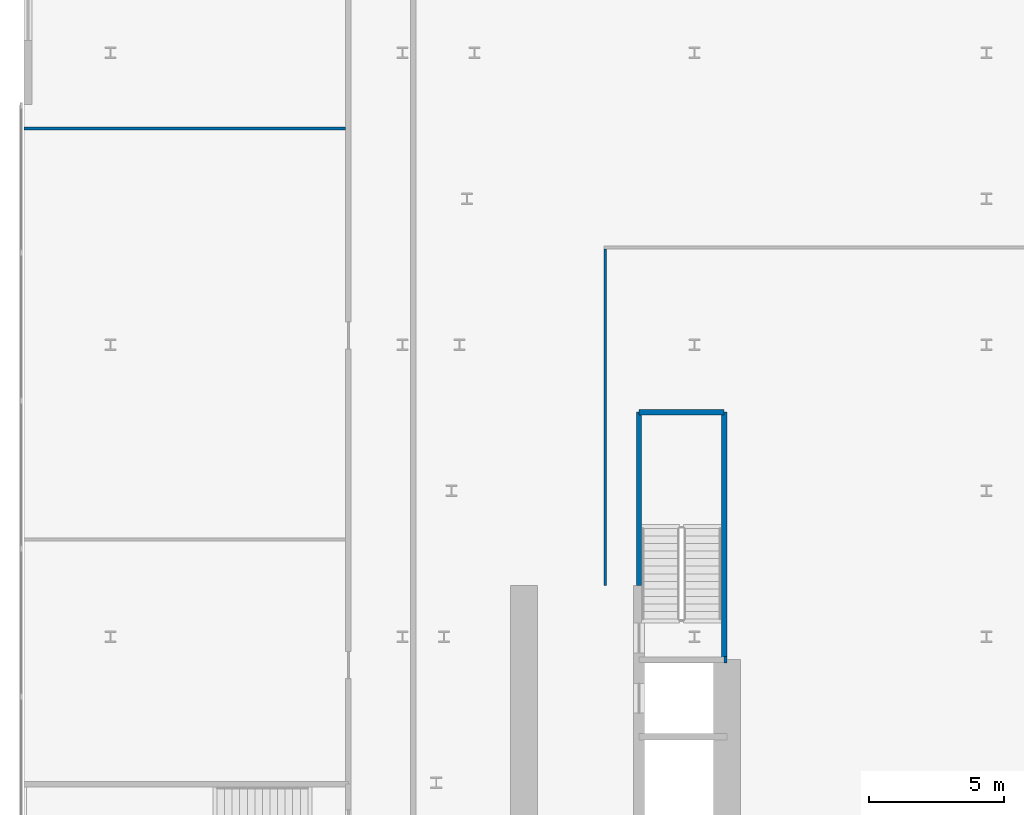
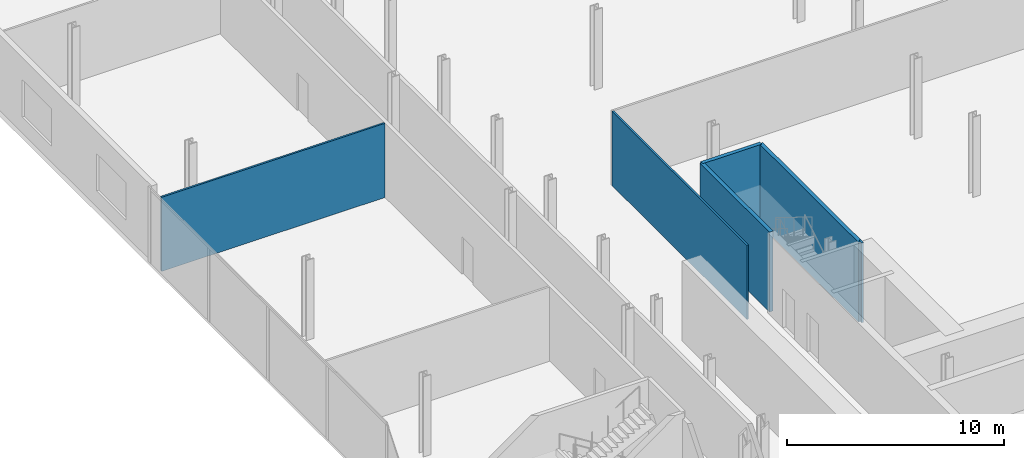
# One storey, part 30 of 47: 6 walls.
"""IFC4 building model written with IfcOpenShell, lengths in metres."""

from ifc_helpers import new_model, si_unit, direction, frame, frame_2d, origin, place, context, subcontext, project, spatial, rectangle, extrude, material, layer, layer_set, type_object, element, save


model = new_model("IFC4")

# Units and contexts
model_context = context("Model", 3, precision=1e-05, world=origin(), true_north=direction((0.0, 1.0)))
body_context = subcontext(model_context, "Body", "Model", "MODEL_VIEW")
ifc_project = project(units=[si_unit("LENGTHUNIT", "METRE"), si_unit("AREAUNIT", "SQUARE_METRE"), si_unit("VOLUMEUNIT", "CUBIC_METRE"), si_unit("PLANEANGLEUNIT", "RADIAN"), si_unit("MASSUNIT", "GRAM", prefix="KILO")], contexts=[model_context])

# Site, building, storey
site_placement = place(None, origin())
site = spatial("IfcSite", under=ifc_project, at=site_placement, CompositionType="ELEMENT")
building_placement = place(site_placement, origin())
building = spatial("IfcBuilding", under=site, at=building_placement, Name="Kheshtan School and Residences Tower", CompositionType="ELEMENT")
storey_placement = place(building_placement, frame((0.0, 0.0, 17.0)))
storey = spatial("IfcBuildingStorey", under=building, at=storey_placement, Name="L03", CompositionType="ELEMENT", Elevation=17.0)

# Walls
ifc_material_1 = material(Name="Gypsum board on steel studs", Category="steel")
ifc_layer_1 = layer(ifc_material_1, 0.10009765625)
ifc_layer_set_1 = layer_set([ifc_layer_1], Name="Gypsum partition 100")
wall_type_1 = type_object("IfcWallType", Name="Gypsum partition 100", PredefinedType="PARTITIONING", material=ifc_layer_set_1)
wall_1_placement = place(storey_placement, frame((12.0, 64.39990234375, 0.0), z_axis=(0.0, 0.0, 1.0), x_axis=(1.0, 0.0, 0.0)))
element("IfcWall", 1, at=wall_1_placement, inside=storey, type_object=wall_type_1, Name="Partition L03-005", PredefinedType="PARTITIONING", context=body_context, shape_type="SweptSolid", body=[
    extrude(rectangle(XDim=11.89990234375, YDim=0.10009765625, at=frame_2d((5.949951171875, 0.0))), origin(), (0.0, 0.0, 1.0), 4.179931640625),
])
wall_2_placement = place(storey_placement, frame((33.5, 47.5, 0.0), z_axis=(0.0, 0.0, 1.0), x_axis=(0.0, 1.0, 0.0)))
element("IfcWall", 2, at=wall_2_placement, inside=storey, type_object=wall_type_1, Name="Partition L03-016", PredefinedType="PARTITIONING", context=body_context, shape_type="SweptSolid", body=[
    extrude(rectangle(XDim=12.449951171875, YDim=0.10009765625, at=frame_2d((6.22509765625, 0.0))), origin(), (0.0, 0.0, 1.0), 4.179931640625),
])
ifc_material_2 = material(Name="Fire-board shaft wall system")
ifc_layer_2 = layer(ifc_material_2, 0.25)
ifc_layer_set_2 = layer_set([ifc_layer_2], Name="Shaft lining wall 250")
wall_type_2 = type_object("IfcWallType", Name="Shaft lining wall 250", PredefinedType="PARTITIONING", material=ifc_layer_set_2)
wall_3_placement = place(storey_placement, frame((37.89990234375, 44.75, 0.0), z_axis=(0.0, 0.0, 1.0), x_axis=(1.0, 0.0, 0.0)))
element("IfcWall", 3, at=wall_3_placement, inside=storey, type_object=wall_type_2, Name="Shaft lining wall", PredefinedType="PARTITIONING", context=body_context, shape_type="SweptSolid", body=[
    extrude(rectangle(XDim=0.10009765625, YDim=0.25, at=frame_2d((0.050048828125, 0.0))), origin(), (0.0, 0.0, 1.0), 4.5),
])
ifc_material_3 = material(Name="Concrete C40/50", Category="concrete")
ifc_layer_3 = layer(ifc_material_3, 0.199951171875)
ifc_layer_set_3 = layer_set([ifc_layer_3], Name="Stair enclosure wall 200 Concrete C40/50")
wall_type_3 = type_object("IfcWallType", Name="Stair enclosure wall 200 Concrete C40/50", PredefinedType="SHEAR", material=ifc_layer_set_3)
wall_4_placement = place(storey_placement, frame((34.75, 53.909912109375, 0.0), z_axis=(0.0, 0.0, 1.0), x_axis=(1.0, 0.0, 0.0)))
element("IfcWall", 4, at=wall_4_placement, inside=storey, type_object=wall_type_3, Name="Stair enclosure wall ST2", PredefinedType="SHEAR", context=body_context, shape_type="SweptSolid", body=[
    extrude(rectangle(XDim=3.14990234375, YDim=0.199951171875, at=frame_2d((1.574951171875, 0.0))), origin(), (0.0, 0.0, 1.0), 4.5),
])
wall_5_placement = place(storey_placement, frame((34.75, 47.5, 0.0), z_axis=(0.0, 0.0, 1.0), x_axis=(0.0, 1.0, 0.0)))
element("IfcWall", 5, at=wall_5_placement, inside=storey, type_object=wall_type_3, Name="Stair enclosure wall ST2", PredefinedType="SHEAR", context=body_context, shape_type="SweptSolid", body=[
    extrude(rectangle(XDim=6.409912109375, YDim=0.199951171875, at=frame_2d((3.205078125, 0.0))), origin(), (0.0, 0.0, 1.0), 4.5),
])
wall_6_placement = place(storey_placement, frame((37.89990234375, 44.75, 0.0), z_axis=(0.0, 0.0, 1.0), x_axis=(0.0, 1.0, 0.0)))
element("IfcWall", 6, at=wall_6_placement, inside=storey, type_object=wall_type_3, Name="Stair enclosure wall ST2", PredefinedType="SHEAR", context=body_context, shape_type="SweptSolid", body=[
    extrude(rectangle(XDim=9.159912109375, YDim=0.199951171875, at=frame_2d((4.580078125, 0.0))), origin(), (0.0, 0.0, 1.0), 4.5),
])

save(model, "model.ifc")
